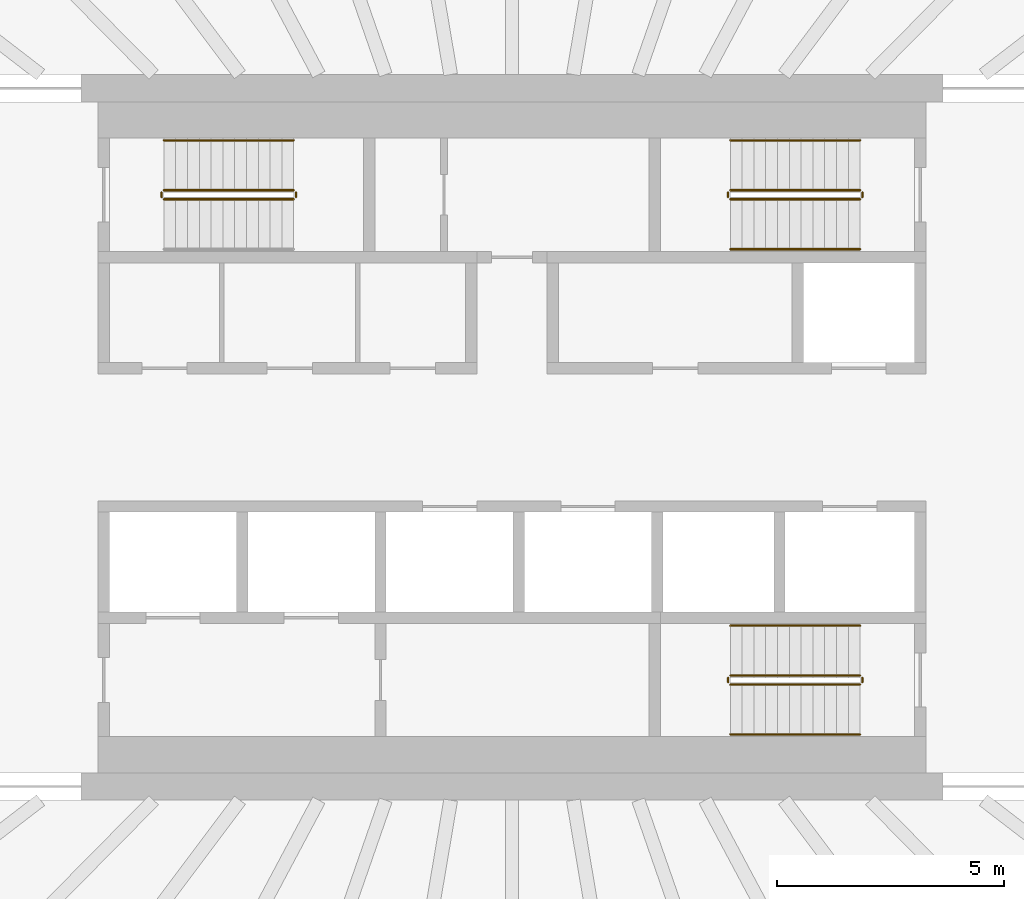
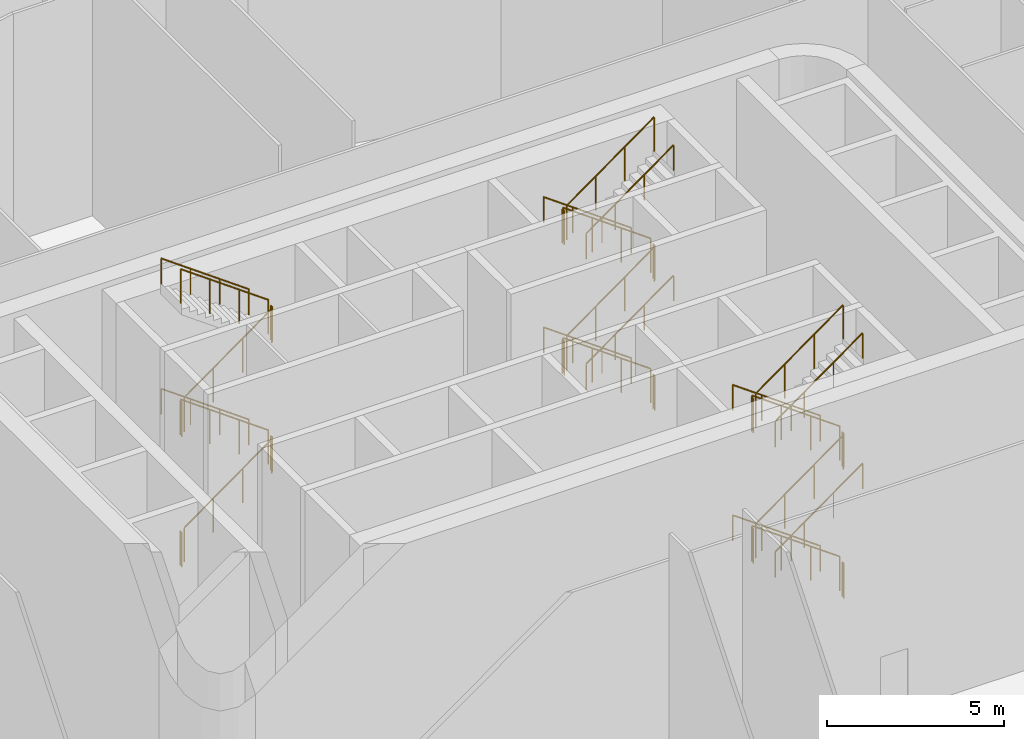
# One storey, part 30 of 35: 34 railings.
"""IFC4 building model written with IfcOpenShell, lengths in metres."""

from ifc_helpers import new_model, si_unit, direction, frame, origin, origin_2d, place, context, subcontext, project, spatial, circle, extrude, material, type_object, element, save


model = new_model("IFC4")

# Units and contexts
model_context = context("Model", 3, precision=1e-05, world=origin(), true_north=direction((0.0, 1.0)))
body_context = subcontext(model_context, "Body", "Model", "MODEL_VIEW")
ifc_project = project(units=[si_unit("LENGTHUNIT", "METRE"), si_unit("AREAUNIT", "SQUARE_METRE"), si_unit("VOLUMEUNIT", "CUBIC_METRE"), si_unit("PLANEANGLEUNIT", "RADIAN"), si_unit("MASSUNIT", "GRAM", prefix="KILO")], contexts=[model_context])

# Site, building, storey
site_placement = place(None, origin())
site = spatial("IfcSite", under=ifc_project, at=site_placement, CompositionType="ELEMENT")
building_placement = place(site_placement, origin())
building = spatial("IfcBuilding", under=site, at=building_placement, Name="Sahrelin Media Tower", CompositionType="ELEMENT")
storey_placement = place(building_placement, frame((0.0, 0.0, 17.0)))
storey = spatial("IfcBuildingStorey", under=building, at=storey_placement, Name="L02", CompositionType="ELEMENT", Elevation=17.0)

# Railings
ifc_material = material(Name="Steel S355", Category="steel")
railing_type_1 = type_object("IfcRailingType", Name="Stair guard 1200", PredefinedType="GUARDRAIL", material=ifc_material)
railing_1_placement = place(storey_placement, frame((-7.675048828125, 5.25, 0.1875)))
element("IfcRailing", 1, at=railing_1_placement, inside=storey, type_object=railing_type_1, Name="L02 ST1 stair guard 1", PredefinedType="GUARDRAIL", context=body_context, shape_type="SweptSolid", body=[
    extrude(circle(Radius=0.02392578125, at=origin_2d()), frame((0.0, 0.0, 1.17578125), z_axis=(0.811100754333, 0.0, 0.584906459462), x_axis=(0.0, 1.0, 0.0)), (0.0, 0.0, 1.0), 3.526123046875),
    extrude(circle(Radius=0.02099609375, at=origin_2d()), origin(), (0.0, 0.0, 1.0), 1.15185546875),
    extrude(circle(Radius=0.02099609375, at=origin_2d()), frame((0.953369140625, 0.0, 0.6875)), (0.0, 0.0, 1.0), 1.15185546875),
    extrude(circle(Radius=0.02099609375, at=origin_2d()), frame((1.90673828125, 0.0, 1.375)), (0.0, 0.0, 1.0), 1.15185546875),
    extrude(circle(Radius=0.02099609375, at=origin_2d()), frame((2.860107421875, 0.0, 2.0625)), (0.0, 0.0, 1.0), 1.15185546875),
])
railing_2_placement = place(storey_placement, frame((-4.764892578125, 5.300048828125, 2.25)))
element("IfcRailing", 2, at=railing_2_placement, inside=storey, type_object=railing_type_1, Name="L02 ST1 stair guard 2", PredefinedType="GUARDRAIL", context=body_context, shape_type="SweptSolid", body=[
    extrude(circle(Radius=0.02392578125, at=origin_2d()), frame((0.0, 0.0, 1.17578125), z_axis=(0.0, 1.0, 0.0), x_axis=(-1.0, 0.0, 0.0)), (0.0, 0.0, 1.0), 0.099853515625),
    extrude(circle(Radius=0.02099609375, at=origin_2d()), origin(), (0.0, 0.0, 1.0), 1.15185546875),
    extrude(circle(Radius=0.02099609375, at=origin_2d()), frame((0.0, 0.099853515625, 0.0)), (0.0, 0.0, 1.0), 1.15185546875),
])
railing_3_placement = place(storey_placement, frame((-4.81494140625, 5.449951171875, 2.4375)))
element("IfcRailing", 3, at=railing_3_placement, inside=storey, type_object=railing_type_1, Name="L02 ST1 stair guard 3", PredefinedType="GUARDRAIL", context=body_context, shape_type="SweptSolid", body=[
    extrude(circle(Radius=0.02392578125, at=origin_2d()), frame((0.0, 0.0, 1.17578125), z_axis=(-0.811100754333, 0.0, 0.584906459462), x_axis=(0.0, -1.0, 0.0)), (0.0, 0.0, 1.0), 3.526123046875),
    extrude(circle(Radius=0.02099609375, at=origin_2d()), origin(), (0.0, 0.0, 1.0), 1.15185546875),
    extrude(circle(Radius=0.02099609375, at=origin_2d()), frame((-0.953369140625, 0.0, 0.6875)), (0.0, 0.0, 1.0), 1.15185546875),
    extrude(circle(Radius=0.02099609375, at=origin_2d()), frame((-1.90673828125, 0.0, 1.375)), (0.0, 0.0, 1.0), 1.15185546875),
    extrude(circle(Radius=0.02099609375, at=origin_2d()), frame((-2.860107421875, 0.0, 2.0625)), (0.0, 0.0, 1.0), 1.15185546875),
])
railing_4_placement = place(storey_placement, frame((-7.72509765625, 5.300048828125, 4.5)))
element("IfcRailing", 4, at=railing_4_placement, inside=storey, type_object=railing_type_1, Name="L02 ST1 stair guard 4", PredefinedType="GUARDRAIL", context=body_context, shape_type="SweptSolid", body=[
    extrude(circle(Radius=0.02392578125, at=origin_2d()), frame((0.0, 0.0, 1.17578125), z_axis=(0.0, 1.0, 0.0), x_axis=(-1.0, 0.0, 0.0)), (0.0, 0.0, 1.0), 0.099853515625),
    extrude(circle(Radius=0.02099609375, at=origin_2d()), origin(), (0.0, 0.0, 1.0), 1.15185546875),
    extrude(circle(Radius=0.02099609375, at=origin_2d()), frame((0.0, 0.099853515625, 0.0)), (0.0, 0.0, 1.0), 1.15185546875),
])
railing_5_placement = place(storey_placement, frame((-7.675048828125, 5.25, 4.6875)))
element("IfcRailing", 5, at=railing_5_placement, inside=storey, type_object=railing_type_1, Name="L02 ST1 stair guard 5", PredefinedType="GUARDRAIL", context=body_context, shape_type="SweptSolid", body=[
    extrude(circle(Radius=0.02392578125, at=origin_2d()), frame((0.0, 0.0, 1.17578125), z_axis=(0.811100754333, 0.0, 0.584906459462), x_axis=(0.0, 1.0, 0.0)), (0.0, 0.0, 1.0), 3.526123046875),
    extrude(circle(Radius=0.02099609375, at=origin_2d()), origin(), (0.0, 0.0, 1.0), 1.15185546875),
    extrude(circle(Radius=0.02099609375, at=origin_2d()), frame((0.953369140625, 0.0, 0.6875)), (0.0, 0.0, 1.0), 1.15185546875),
    extrude(circle(Radius=0.02099609375, at=origin_2d()), frame((1.90673828125, 0.0, 1.375)), (0.0, 0.0, 1.0), 1.15185546875),
    extrude(circle(Radius=0.02099609375, at=origin_2d()), frame((2.860107421875, 0.0, 2.0625)), (0.0, 0.0, 1.0), 1.15185546875),
])
railing_6_placement = place(storey_placement, frame((-4.764892578125, 5.300048828125, 6.75)))
element("IfcRailing", 6, at=railing_6_placement, inside=storey, type_object=railing_type_1, Name="L02 ST1 stair guard 6", PredefinedType="GUARDRAIL", context=body_context, shape_type="SweptSolid", body=[
    extrude(circle(Radius=0.02392578125, at=origin_2d()), frame((0.0, 0.0, 1.17578125), z_axis=(0.0, 1.0, 0.0), x_axis=(-1.0, 0.0, 0.0)), (0.0, 0.0, 1.0), 0.099853515625),
    extrude(circle(Radius=0.02099609375, at=origin_2d()), origin(), (0.0, 0.0, 1.0), 1.15185546875),
    extrude(circle(Radius=0.02099609375, at=origin_2d()), frame((0.0, 0.099853515625, 0.0)), (0.0, 0.0, 1.0), 1.15185546875),
])
railing_7_placement = place(storey_placement, frame((-4.81494140625, 5.449951171875, 6.9375)))
element("IfcRailing", 7, at=railing_7_placement, inside=storey, type_object=railing_type_1, Name="L02 ST1 stair guard 7", PredefinedType="GUARDRAIL", context=body_context, shape_type="SweptSolid", body=[
    extrude(circle(Radius=0.02392578125, at=origin_2d()), frame((0.0, 0.0, 1.17578125), z_axis=(-0.811100754333, 0.0, 0.584906459462), x_axis=(0.0, -1.0, 0.0)), (0.0, 0.0, 1.0), 3.526123046875),
    extrude(circle(Radius=0.02099609375, at=origin_2d()), origin(), (0.0, 0.0, 1.0), 1.15185546875),
    extrude(circle(Radius=0.02099609375, at=origin_2d()), frame((-0.953369140625, 0.0, 0.6875)), (0.0, 0.0, 1.0), 1.15185546875),
    extrude(circle(Radius=0.02099609375, at=origin_2d()), frame((-1.90673828125, 0.0, 1.375)), (0.0, 0.0, 1.0), 1.15185546875),
    extrude(circle(Radius=0.02099609375, at=origin_2d()), frame((-2.860107421875, 0.0, 2.0625)), (0.0, 0.0, 1.0), 1.15185546875),
])
railing_8_placement = place(storey_placement, frame((-7.72509765625, 5.300048828125, 0.0)))
element("IfcRailing", 8, at=railing_8_placement, inside=storey, type_object=railing_type_1, Name="L02 ST1 stair guard 8", PredefinedType="GUARDRAIL", context=body_context, shape_type="SweptSolid", body=[
    extrude(circle(Radius=0.02392578125, at=origin_2d()), frame((0.0, 0.0, 1.17578125), z_axis=(0.0, 1.0, 0.0), x_axis=(-1.0, 0.0, 0.0)), (0.0, 0.0, 1.0), 0.099853515625),
    extrude(circle(Radius=0.02099609375, at=origin_2d()), origin(), (0.0, 0.0, 1.0), 1.15185546875),
    extrude(circle(Radius=0.02099609375, at=origin_2d()), frame((0.0, 0.099853515625, 0.0)), (0.0, 0.0, 1.0), 1.15185546875),
])
railing_9_placement = place(storey_placement, frame((7.675048828125, 5.449951171875, 0.1875)))
element("IfcRailing", 9, at=railing_9_placement, inside=storey, type_object=railing_type_1, Name="L02 ST3 stair guard 1", PredefinedType="GUARDRAIL", context=body_context, shape_type="SweptSolid", body=[
    extrude(circle(Radius=0.02392578125, at=origin_2d()), frame((0.0, 0.0, 1.17578125), z_axis=(-0.811100754333, 0.0, 0.584906459462), x_axis=(0.0, -1.0, 0.0)), (0.0, 0.0, 1.0), 3.526123046875),
    extrude(circle(Radius=0.02099609375, at=origin_2d()), origin(), (0.0, 0.0, 1.0), 1.15185546875),
    extrude(circle(Radius=0.02099609375, at=origin_2d()), frame((-0.953369140625, 0.0, 0.6875)), (0.0, 0.0, 1.0), 1.15185546875),
    extrude(circle(Radius=0.02099609375, at=origin_2d()), frame((-1.90673828125, 0.0, 1.375)), (0.0, 0.0, 1.0), 1.15185546875),
    extrude(circle(Radius=0.02099609375, at=origin_2d()), frame((-2.860107421875, 0.0, 2.0625)), (0.0, 0.0, 1.0), 1.15185546875),
])
railing_10_placement = place(storey_placement, frame((4.764892578125, 5.39990234375, 2.25)))
element("IfcRailing", 10, at=railing_10_placement, inside=storey, type_object=railing_type_1, Name="L02 ST3 stair guard 2", PredefinedType="GUARDRAIL", context=body_context, shape_type="SweptSolid", body=[
    extrude(circle(Radius=0.02392578125, at=origin_2d()), frame((0.0, 0.0, 1.17578125), z_axis=(0.0, -1.0, 0.0), x_axis=(1.0, 0.0, 0.0)), (0.0, 0.0, 1.0), 0.099853515625),
    extrude(circle(Radius=0.02099609375, at=origin_2d()), origin(), (0.0, 0.0, 1.0), 1.15185546875),
    extrude(circle(Radius=0.02099609375, at=origin_2d()), frame((0.0, -0.099853515625, 0.0)), (0.0, 0.0, 1.0), 1.15185546875),
])
railing_11_placement = place(storey_placement, frame((4.81494140625, 5.25, 2.4375)))
element("IfcRailing", 11, at=railing_11_placement, inside=storey, type_object=railing_type_1, Name="L02 ST3 stair guard 3", PredefinedType="GUARDRAIL", context=body_context, shape_type="SweptSolid", body=[
    extrude(circle(Radius=0.02392578125, at=origin_2d()), frame((0.0, 0.0, 1.17578125), z_axis=(0.811100754333, 0.0, 0.584906459462), x_axis=(0.0, 1.0, 0.0)), (0.0, 0.0, 1.0), 3.526123046875),
    extrude(circle(Radius=0.02099609375, at=origin_2d()), origin(), (0.0, 0.0, 1.0), 1.15185546875),
    extrude(circle(Radius=0.02099609375, at=origin_2d()), frame((0.953369140625, 0.0, 0.6875)), (0.0, 0.0, 1.0), 1.15185546875),
    extrude(circle(Radius=0.02099609375, at=origin_2d()), frame((1.90673828125, 0.0, 1.375)), (0.0, 0.0, 1.0), 1.15185546875),
    extrude(circle(Radius=0.02099609375, at=origin_2d()), frame((2.860107421875, 0.0, 2.0625)), (0.0, 0.0, 1.0), 1.15185546875),
])
railing_12_placement = place(storey_placement, frame((7.72509765625, 5.39990234375, 4.5)))
element("IfcRailing", 12, at=railing_12_placement, inside=storey, type_object=railing_type_1, Name="L02 ST3 stair guard 4", PredefinedType="GUARDRAIL", context=body_context, shape_type="SweptSolid", body=[
    extrude(circle(Radius=0.02392578125, at=origin_2d()), frame((0.0, 0.0, 1.17578125), z_axis=(0.0, -1.0, 0.0), x_axis=(1.0, 0.0, 0.0)), (0.0, 0.0, 1.0), 0.099853515625),
    extrude(circle(Radius=0.02099609375, at=origin_2d()), origin(), (0.0, 0.0, 1.0), 1.15185546875),
    extrude(circle(Radius=0.02099609375, at=origin_2d()), frame((0.0, -0.099853515625, 0.0)), (0.0, 0.0, 1.0), 1.15185546875),
])
railing_13_placement = place(storey_placement, frame((7.675048828125, 5.449951171875, 4.6875)))
element("IfcRailing", 13, at=railing_13_placement, inside=storey, type_object=railing_type_1, Name="L02 ST3 stair guard 5", PredefinedType="GUARDRAIL", context=body_context, shape_type="SweptSolid", body=[
    extrude(circle(Radius=0.02392578125, at=origin_2d()), frame((0.0, 0.0, 1.17578125), z_axis=(-0.811100754333, 0.0, 0.584906459462), x_axis=(0.0, -1.0, 0.0)), (0.0, 0.0, 1.0), 3.526123046875),
    extrude(circle(Radius=0.02099609375, at=origin_2d()), origin(), (0.0, 0.0, 1.0), 1.15185546875),
    extrude(circle(Radius=0.02099609375, at=origin_2d()), frame((-0.953369140625, 0.0, 0.6875)), (0.0, 0.0, 1.0), 1.15185546875),
    extrude(circle(Radius=0.02099609375, at=origin_2d()), frame((-1.90673828125, 0.0, 1.375)), (0.0, 0.0, 1.0), 1.15185546875),
    extrude(circle(Radius=0.02099609375, at=origin_2d()), frame((-2.860107421875, 0.0, 2.0625)), (0.0, 0.0, 1.0), 1.15185546875),
])
railing_14_placement = place(storey_placement, frame((4.764892578125, 5.39990234375, 6.75)))
element("IfcRailing", 14, at=railing_14_placement, inside=storey, type_object=railing_type_1, Name="L02 ST3 stair guard 6", PredefinedType="GUARDRAIL", context=body_context, shape_type="SweptSolid", body=[
    extrude(circle(Radius=0.02392578125, at=origin_2d()), frame((0.0, 0.0, 1.17578125), z_axis=(0.0, -1.0, 0.0), x_axis=(1.0, 0.0, 0.0)), (0.0, 0.0, 1.0), 0.099853515625),
    extrude(circle(Radius=0.02099609375, at=origin_2d()), origin(), (0.0, 0.0, 1.0), 1.15185546875),
    extrude(circle(Radius=0.02099609375, at=origin_2d()), frame((0.0, -0.099853515625, 0.0)), (0.0, 0.0, 1.0), 1.15185546875),
])
railing_15_placement = place(storey_placement, frame((4.81494140625, 5.25, 6.9375)))
element("IfcRailing", 15, at=railing_15_placement, inside=storey, type_object=railing_type_1, Name="L02 ST3 stair guard 7", PredefinedType="GUARDRAIL", context=body_context, shape_type="SweptSolid", body=[
    extrude(circle(Radius=0.02392578125, at=origin_2d()), frame((0.0, 0.0, 1.17578125), z_axis=(0.811100754333, 0.0, 0.584906459462), x_axis=(0.0, 1.0, 0.0)), (0.0, 0.0, 1.0), 3.526123046875),
    extrude(circle(Radius=0.02099609375, at=origin_2d()), origin(), (0.0, 0.0, 1.0), 1.15185546875),
    extrude(circle(Radius=0.02099609375, at=origin_2d()), frame((0.953369140625, 0.0, 0.6875)), (0.0, 0.0, 1.0), 1.15185546875),
    extrude(circle(Radius=0.02099609375, at=origin_2d()), frame((1.90673828125, 0.0, 1.375)), (0.0, 0.0, 1.0), 1.15185546875),
    extrude(circle(Radius=0.02099609375, at=origin_2d()), frame((2.860107421875, 0.0, 2.0625)), (0.0, 0.0, 1.0), 1.15185546875),
])
railing_16_placement = place(storey_placement, frame((7.72509765625, 5.39990234375, 0.0)))
element("IfcRailing", 16, at=railing_16_placement, inside=storey, type_object=railing_type_1, Name="L02 ST3 stair guard 8", PredefinedType="GUARDRAIL", context=body_context, shape_type="SweptSolid", body=[
    extrude(circle(Radius=0.02392578125, at=origin_2d()), frame((0.0, 0.0, 1.17578125), z_axis=(0.0, -1.0, 0.0), x_axis=(1.0, 0.0, 0.0)), (0.0, 0.0, 1.0), 0.099853515625),
    extrude(circle(Radius=0.02099609375, at=origin_2d()), origin(), (0.0, 0.0, 1.0), 1.15185546875),
    extrude(circle(Radius=0.02099609375, at=origin_2d()), frame((0.0, -0.099853515625, 0.0)), (0.0, 0.0, 1.0), 1.15185546875),
])
railing_17_placement = place(storey_placement, frame((7.675048828125, -5.25, 0.1875)))
element("IfcRailing", 17, at=railing_17_placement, inside=storey, type_object=railing_type_1, Name="L02 ST2 stair guard 1", PredefinedType="GUARDRAIL", context=body_context, shape_type="SweptSolid", body=[
    extrude(circle(Radius=0.02392578125, at=origin_2d()), frame((0.0, 0.0, 1.17578125), z_axis=(-0.811100754333, 0.0, 0.584906459462), x_axis=(0.0, -1.0, 0.0)), (0.0, 0.0, 1.0), 3.526123046875),
    extrude(circle(Radius=0.02099609375, at=origin_2d()), origin(), (0.0, 0.0, 1.0), 1.15185546875),
    extrude(circle(Radius=0.02099609375, at=origin_2d()), frame((-0.953369140625, 0.0, 0.6875)), (0.0, 0.0, 1.0), 1.15185546875),
    extrude(circle(Radius=0.02099609375, at=origin_2d()), frame((-1.90673828125, 0.0, 1.375)), (0.0, 0.0, 1.0), 1.15185546875),
    extrude(circle(Radius=0.02099609375, at=origin_2d()), frame((-2.860107421875, 0.0, 2.0625)), (0.0, 0.0, 1.0), 1.15185546875),
])
railing_18_placement = place(storey_placement, frame((4.764892578125, -5.300048828125, 2.25)))
element("IfcRailing", 18, at=railing_18_placement, inside=storey, type_object=railing_type_1, Name="L02 ST2 stair guard 2", PredefinedType="GUARDRAIL", context=body_context, shape_type="SweptSolid", body=[
    extrude(circle(Radius=0.02392578125, at=origin_2d()), frame((0.0, 0.0, 1.17578125), z_axis=(0.0, -1.0, 0.0), x_axis=(1.0, 0.0, 0.0)), (0.0, 0.0, 1.0), 0.099853515625),
    extrude(circle(Radius=0.02099609375, at=origin_2d()), origin(), (0.0, 0.0, 1.0), 1.15185546875),
    extrude(circle(Radius=0.02099609375, at=origin_2d()), frame((0.0, -0.099853515625, 0.0)), (0.0, 0.0, 1.0), 1.15185546875),
])
railing_19_placement = place(storey_placement, frame((4.81494140625, -5.449951171875, 2.4375)))
element("IfcRailing", 19, at=railing_19_placement, inside=storey, type_object=railing_type_1, Name="L02 ST2 stair guard 3", PredefinedType="GUARDRAIL", context=body_context, shape_type="SweptSolid", body=[
    extrude(circle(Radius=0.02392578125, at=origin_2d()), frame((0.0, 0.0, 1.17578125), z_axis=(0.811100754333, 0.0, 0.584906459462), x_axis=(0.0, 1.0, 0.0)), (0.0, 0.0, 1.0), 3.526123046875),
    extrude(circle(Radius=0.02099609375, at=origin_2d()), origin(), (0.0, 0.0, 1.0), 1.15185546875),
    extrude(circle(Radius=0.02099609375, at=origin_2d()), frame((0.953369140625, 0.0, 0.6875)), (0.0, 0.0, 1.0), 1.15185546875),
    extrude(circle(Radius=0.02099609375, at=origin_2d()), frame((1.90673828125, 0.0, 1.375)), (0.0, 0.0, 1.0), 1.15185546875),
    extrude(circle(Radius=0.02099609375, at=origin_2d()), frame((2.860107421875, 0.0, 2.0625)), (0.0, 0.0, 1.0), 1.15185546875),
])
railing_20_placement = place(storey_placement, frame((7.72509765625, -5.300048828125, 4.5)))
element("IfcRailing", 20, at=railing_20_placement, inside=storey, type_object=railing_type_1, Name="L02 ST2 stair guard 4", PredefinedType="GUARDRAIL", context=body_context, shape_type="SweptSolid", body=[
    extrude(circle(Radius=0.02392578125, at=origin_2d()), frame((0.0, 0.0, 1.17578125), z_axis=(0.0, -1.0, 0.0), x_axis=(1.0, 0.0, 0.0)), (0.0, 0.0, 1.0), 0.099853515625),
    extrude(circle(Radius=0.02099609375, at=origin_2d()), origin(), (0.0, 0.0, 1.0), 1.15185546875),
    extrude(circle(Radius=0.02099609375, at=origin_2d()), frame((0.0, -0.099853515625, 0.0)), (0.0, 0.0, 1.0), 1.15185546875),
])
railing_21_placement = place(storey_placement, frame((7.675048828125, -5.25, 4.6875)))
element("IfcRailing", 21, at=railing_21_placement, inside=storey, type_object=railing_type_1, Name="L02 ST2 stair guard 5", PredefinedType="GUARDRAIL", context=body_context, shape_type="SweptSolid", body=[
    extrude(circle(Radius=0.02392578125, at=origin_2d()), frame((0.0, 0.0, 1.17578125), z_axis=(-0.811100754333, 0.0, 0.584906459462), x_axis=(0.0, -1.0, 0.0)), (0.0, 0.0, 1.0), 3.526123046875),
    extrude(circle(Radius=0.02099609375, at=origin_2d()), origin(), (0.0, 0.0, 1.0), 1.15185546875),
    extrude(circle(Radius=0.02099609375, at=origin_2d()), frame((-0.953369140625, 0.0, 0.6875)), (0.0, 0.0, 1.0), 1.15185546875),
    extrude(circle(Radius=0.02099609375, at=origin_2d()), frame((-1.90673828125, 0.0, 1.375)), (0.0, 0.0, 1.0), 1.15185546875),
    extrude(circle(Radius=0.02099609375, at=origin_2d()), frame((-2.860107421875, 0.0, 2.0625)), (0.0, 0.0, 1.0), 1.15185546875),
])
railing_22_placement = place(storey_placement, frame((4.764892578125, -5.300048828125, 6.75)))
element("IfcRailing", 22, at=railing_22_placement, inside=storey, type_object=railing_type_1, Name="L02 ST2 stair guard 6", PredefinedType="GUARDRAIL", context=body_context, shape_type="SweptSolid", body=[
    extrude(circle(Radius=0.02392578125, at=origin_2d()), frame((0.0, 0.0, 1.17578125), z_axis=(0.0, -1.0, 0.0), x_axis=(1.0, 0.0, 0.0)), (0.0, 0.0, 1.0), 0.099853515625),
    extrude(circle(Radius=0.02099609375, at=origin_2d()), origin(), (0.0, 0.0, 1.0), 1.15185546875),
    extrude(circle(Radius=0.02099609375, at=origin_2d()), frame((0.0, -0.099853515625, 0.0)), (0.0, 0.0, 1.0), 1.15185546875),
])
railing_23_placement = place(storey_placement, frame((4.81494140625, -5.449951171875, 6.9375)))
element("IfcRailing", 23, at=railing_23_placement, inside=storey, type_object=railing_type_1, Name="L02 ST2 stair guard 7", PredefinedType="GUARDRAIL", context=body_context, shape_type="SweptSolid", body=[
    extrude(circle(Radius=0.02392578125, at=origin_2d()), frame((0.0, 0.0, 1.17578125), z_axis=(0.811100754333, 0.0, 0.584906459462), x_axis=(0.0, 1.0, 0.0)), (0.0, 0.0, 1.0), 3.526123046875),
    extrude(circle(Radius=0.02099609375, at=origin_2d()), origin(), (0.0, 0.0, 1.0), 1.15185546875),
    extrude(circle(Radius=0.02099609375, at=origin_2d()), frame((0.953369140625, 0.0, 0.6875)), (0.0, 0.0, 1.0), 1.15185546875),
    extrude(circle(Radius=0.02099609375, at=origin_2d()), frame((1.90673828125, 0.0, 1.375)), (0.0, 0.0, 1.0), 1.15185546875),
    extrude(circle(Radius=0.02099609375, at=origin_2d()), frame((2.860107421875, 0.0, 2.0625)), (0.0, 0.0, 1.0), 1.15185546875),
])
railing_24_placement = place(storey_placement, frame((7.72509765625, -5.300048828125, 0.0)))
element("IfcRailing", 24, at=railing_24_placement, inside=storey, type_object=railing_type_1, Name="L02 ST2 stair guard 8", PredefinedType="GUARDRAIL", context=body_context, shape_type="SweptSolid", body=[
    extrude(circle(Radius=0.02392578125, at=origin_2d()), frame((0.0, 0.0, 1.17578125), z_axis=(0.0, -1.0, 0.0), x_axis=(1.0, 0.0, 0.0)), (0.0, 0.0, 1.0), 0.099853515625),
    extrude(circle(Radius=0.02099609375, at=origin_2d()), origin(), (0.0, 0.0, 1.0), 1.15185546875),
    extrude(circle(Radius=0.02099609375, at=origin_2d()), frame((0.0, -0.099853515625, 0.0)), (0.0, 0.0, 1.0), 1.15185546875),
])
railing_type_2 = type_object("IfcRailingType", Name="Stair handrail 900", PredefinedType="HANDRAIL", material=ifc_material)
for number, where, name in (
    (25, (-4.81494140625, 6.550048828125, 2.4375), "L02 ST1 stair handrail 2"),
    (26, (-4.81494140625, 6.550048828125, 6.9375), "L02 ST1 stair handrail 4"),
    (27, (7.675048828125, 6.550048828125, 0.1875), "L02 ST3 stair handrail 1"),
):
    element("IfcRailing", number, at=place(storey_placement, frame(where)), inside=storey, type_object=railing_type_2, Name=name, PredefinedType="HANDRAIL", context=body_context, shape_type="SweptSolid", body=[
        extrude(circle(Radius=0.02392578125, at=origin_2d()), frame((0.0, 0.0, 0.8759765625), z_axis=(-0.811100754333, 0.0, 0.584906459462), x_axis=(0.0, -1.0, 0.0)), (0.0, 0.0, 1.0), 3.526123046875),
        extrude(circle(Radius=0.02099609375, at=origin_2d()), origin(), (0.0, 0.0, 1.0), 0.851806640625),
        extrude(circle(Radius=0.02099609375, at=origin_2d()), frame((-0.953369140625, 0.0, 0.6875)), (0.0, 0.0, 1.0), 0.851806640625),
        extrude(circle(Radius=0.02099609375, at=origin_2d()), frame((-1.90673828125, 0.0, 1.375)), (0.0, 0.0, 1.0), 0.851806640625),
        extrude(circle(Radius=0.02099609375, at=origin_2d()), frame((-2.860107421875, 0.0, 2.0625)), (0.0, 0.0, 1.0), 0.851806640625),
    ])
railing_25_placement = place(storey_placement, frame((4.81494140625, 4.14990234375, 2.4375)))
element("IfcRailing", 28, at=railing_25_placement, inside=storey, type_object=railing_type_2, Name="L02 ST3 stair handrail 2", PredefinedType="HANDRAIL", context=body_context, shape_type="SweptSolid", body=[
    extrude(circle(Radius=0.02392578125, at=origin_2d()), frame((0.0, 0.0, 0.8759765625), z_axis=(0.811100754333, 0.0, 0.584906459462), x_axis=(0.0, 1.0, 0.0)), (0.0, 0.0, 1.0), 3.526123046875),
    extrude(circle(Radius=0.02099609375, at=origin_2d()), origin(), (0.0, 0.0, 1.0), 0.851806640625),
    extrude(circle(Radius=0.02099609375, at=origin_2d()), frame((0.953369140625, 0.0, 0.6875)), (0.0, 0.0, 1.0), 0.851806640625),
    extrude(circle(Radius=0.02099609375, at=origin_2d()), frame((1.90673828125, 0.0, 1.375)), (0.0, 0.0, 1.0), 0.851806640625),
    extrude(circle(Radius=0.02099609375, at=origin_2d()), frame((2.860107421875, 0.0, 2.0625)), (0.0, 0.0, 1.0), 0.851806640625),
])
railing_26_placement = place(storey_placement, frame((7.675048828125, 6.550048828125, 4.6875)))
element("IfcRailing", 29, at=railing_26_placement, inside=storey, type_object=railing_type_2, Name="L02 ST3 stair handrail 3", PredefinedType="HANDRAIL", context=body_context, shape_type="SweptSolid", body=[
    extrude(circle(Radius=0.02392578125, at=origin_2d()), frame((0.0, 0.0, 0.8759765625), z_axis=(-0.811100754333, 0.0, 0.584906459462), x_axis=(0.0, -1.0, 0.0)), (0.0, 0.0, 1.0), 3.526123046875),
    extrude(circle(Radius=0.02099609375, at=origin_2d()), origin(), (0.0, 0.0, 1.0), 0.851806640625),
    extrude(circle(Radius=0.02099609375, at=origin_2d()), frame((-0.953369140625, 0.0, 0.6875)), (0.0, 0.0, 1.0), 0.851806640625),
    extrude(circle(Radius=0.02099609375, at=origin_2d()), frame((-1.90673828125, 0.0, 1.375)), (0.0, 0.0, 1.0), 0.851806640625),
    extrude(circle(Radius=0.02099609375, at=origin_2d()), frame((-2.860107421875, 0.0, 2.0625)), (0.0, 0.0, 1.0), 0.851806640625),
])
railing_27_placement = place(storey_placement, frame((4.81494140625, 4.14990234375, 6.9375)))
element("IfcRailing", 30, at=railing_27_placement, inside=storey, type_object=railing_type_2, Name="L02 ST3 stair handrail 4", PredefinedType="HANDRAIL", context=body_context, shape_type="SweptSolid", body=[
    extrude(circle(Radius=0.02392578125, at=origin_2d()), frame((0.0, 0.0, 0.8759765625), z_axis=(0.811100754333, 0.0, 0.584906459462), x_axis=(0.0, 1.0, 0.0)), (0.0, 0.0, 1.0), 3.526123046875),
    extrude(circle(Radius=0.02099609375, at=origin_2d()), origin(), (0.0, 0.0, 1.0), 0.851806640625),
    extrude(circle(Radius=0.02099609375, at=origin_2d()), frame((0.953369140625, 0.0, 0.6875)), (0.0, 0.0, 1.0), 0.851806640625),
    extrude(circle(Radius=0.02099609375, at=origin_2d()), frame((1.90673828125, 0.0, 1.375)), (0.0, 0.0, 1.0), 0.851806640625),
    extrude(circle(Radius=0.02099609375, at=origin_2d()), frame((2.860107421875, 0.0, 2.0625)), (0.0, 0.0, 1.0), 0.851806640625),
])
railing_28_placement = place(storey_placement, frame((7.675048828125, -4.14990234375, 0.1875)))
element("IfcRailing", 31, at=railing_28_placement, inside=storey, type_object=railing_type_2, Name="L02 ST2 stair handrail 1", PredefinedType="HANDRAIL", context=body_context, shape_type="SweptSolid", body=[
    extrude(circle(Radius=0.02392578125, at=origin_2d()), frame((0.0, 0.0, 0.8759765625), z_axis=(-0.811100754333, 0.0, 0.584906459462), x_axis=(0.0, -1.0, 0.0)), (0.0, 0.0, 1.0), 3.526123046875),
    extrude(circle(Radius=0.02099609375, at=origin_2d()), origin(), (0.0, 0.0, 1.0), 0.851806640625),
    extrude(circle(Radius=0.02099609375, at=origin_2d()), frame((-0.953369140625, 0.0, 0.6875)), (0.0, 0.0, 1.0), 0.851806640625),
    extrude(circle(Radius=0.02099609375, at=origin_2d()), frame((-1.90673828125, 0.0, 1.375)), (0.0, 0.0, 1.0), 0.851806640625),
    extrude(circle(Radius=0.02099609375, at=origin_2d()), frame((-2.860107421875, 0.0, 2.0625)), (0.0, 0.0, 1.0), 0.851806640625),
])
railing_29_placement = place(storey_placement, frame((4.81494140625, -6.550048828125, 2.4375)))
element("IfcRailing", 32, at=railing_29_placement, inside=storey, type_object=railing_type_2, Name="L02 ST2 stair handrail 2", PredefinedType="HANDRAIL", context=body_context, shape_type="SweptSolid", body=[
    extrude(circle(Radius=0.02392578125, at=origin_2d()), frame((0.0, 0.0, 0.8759765625), z_axis=(0.811100754333, 0.0, 0.584906459462), x_axis=(0.0, 1.0, 0.0)), (0.0, 0.0, 1.0), 3.526123046875),
    extrude(circle(Radius=0.02099609375, at=origin_2d()), origin(), (0.0, 0.0, 1.0), 0.851806640625),
    extrude(circle(Radius=0.02099609375, at=origin_2d()), frame((0.953369140625, 0.0, 0.6875)), (0.0, 0.0, 1.0), 0.851806640625),
    extrude(circle(Radius=0.02099609375, at=origin_2d()), frame((1.90673828125, 0.0, 1.375)), (0.0, 0.0, 1.0), 0.851806640625),
    extrude(circle(Radius=0.02099609375, at=origin_2d()), frame((2.860107421875, 0.0, 2.0625)), (0.0, 0.0, 1.0), 0.851806640625),
])
railing_30_placement = place(storey_placement, frame((7.675048828125, -4.14990234375, 4.6875)))
element("IfcRailing", 33, at=railing_30_placement, inside=storey, type_object=railing_type_2, Name="L02 ST2 stair handrail 3", PredefinedType="HANDRAIL", context=body_context, shape_type="SweptSolid", body=[
    extrude(circle(Radius=0.02392578125, at=origin_2d()), frame((0.0, 0.0, 0.8759765625), z_axis=(-0.811100754333, 0.0, 0.584906459462), x_axis=(0.0, -1.0, 0.0)), (0.0, 0.0, 1.0), 3.526123046875),
    extrude(circle(Radius=0.02099609375, at=origin_2d()), origin(), (0.0, 0.0, 1.0), 0.851806640625),
    extrude(circle(Radius=0.02099609375, at=origin_2d()), frame((-0.953369140625, 0.0, 0.6875)), (0.0, 0.0, 1.0), 0.851806640625),
    extrude(circle(Radius=0.02099609375, at=origin_2d()), frame((-1.90673828125, 0.0, 1.375)), (0.0, 0.0, 1.0), 0.851806640625),
    extrude(circle(Radius=0.02099609375, at=origin_2d()), frame((-2.860107421875, 0.0, 2.0625)), (0.0, 0.0, 1.0), 0.851806640625),
])
railing_31_placement = place(storey_placement, frame((4.81494140625, -6.550048828125, 6.9375)))
element("IfcRailing", 34, at=railing_31_placement, inside=storey, type_object=railing_type_2, Name="L02 ST2 stair handrail 4", PredefinedType="HANDRAIL", context=body_context, shape_type="SweptSolid", body=[
    extrude(circle(Radius=0.02392578125, at=origin_2d()), frame((0.0, 0.0, 0.8759765625), z_axis=(0.811100754333, 0.0, 0.584906459462), x_axis=(0.0, 1.0, 0.0)), (0.0, 0.0, 1.0), 3.526123046875),
    extrude(circle(Radius=0.02099609375, at=origin_2d()), origin(), (0.0, 0.0, 1.0), 0.851806640625),
    extrude(circle(Radius=0.02099609375, at=origin_2d()), frame((0.953369140625, 0.0, 0.6875)), (0.0, 0.0, 1.0), 0.851806640625),
    extrude(circle(Radius=0.02099609375, at=origin_2d()), frame((1.90673828125, 0.0, 1.375)), (0.0, 0.0, 1.0), 0.851806640625),
    extrude(circle(Radius=0.02099609375, at=origin_2d()), frame((2.860107421875, 0.0, 2.0625)), (0.0, 0.0, 1.0), 0.851806640625),
])

save(model, "model.ifc")
